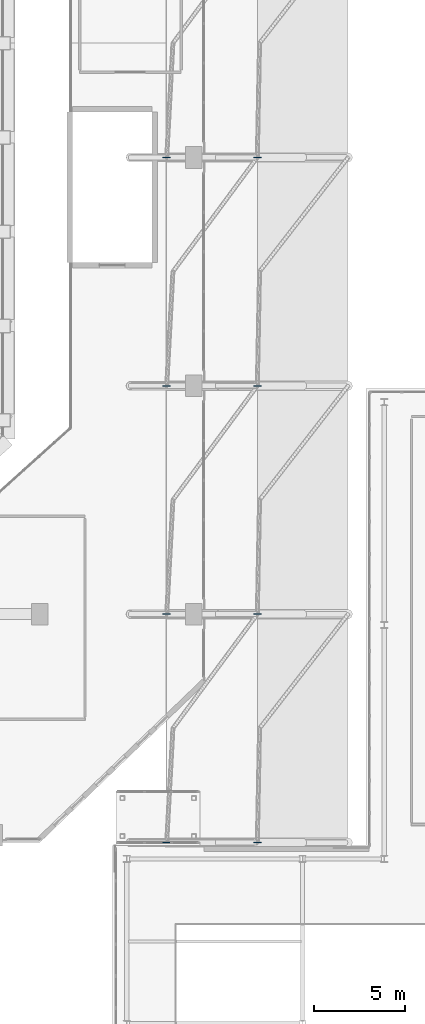
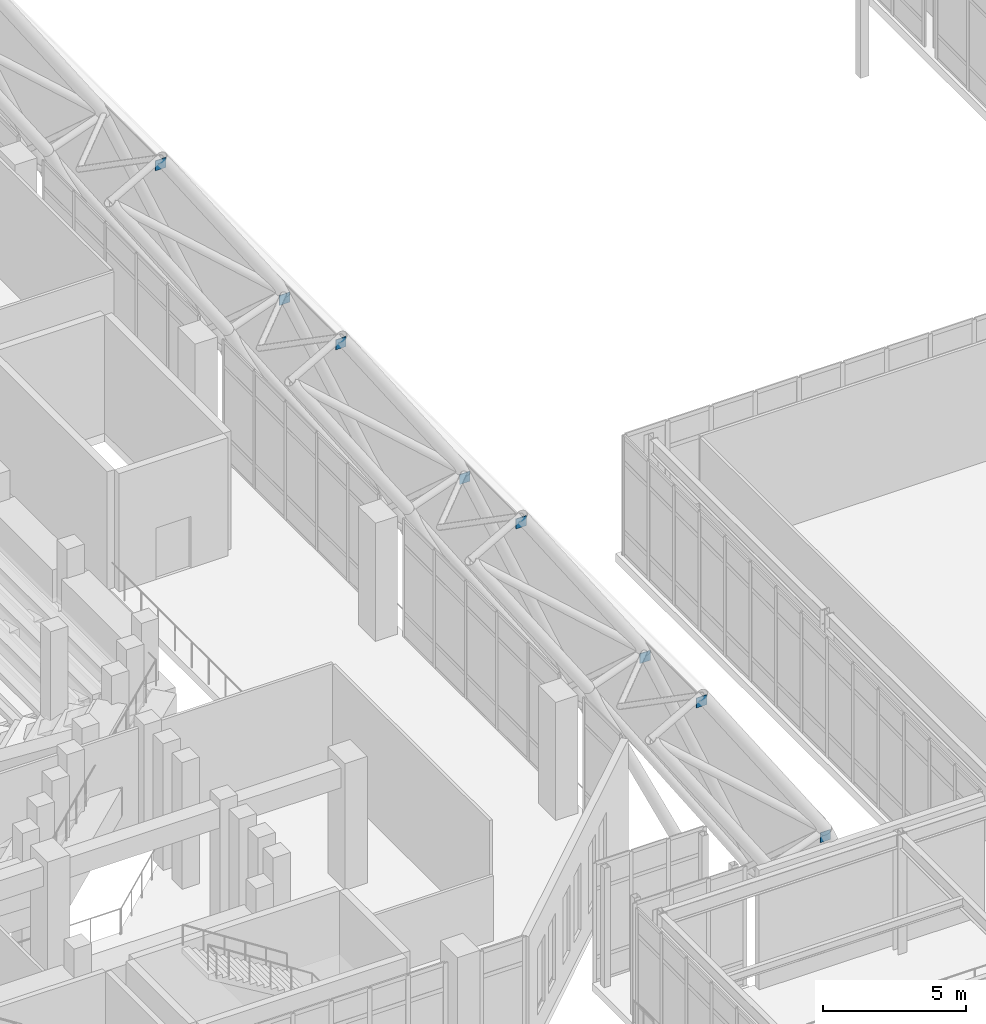
# One storey, part 119 of 159: 8 plates.
"""IFC4 building model written with IfcOpenShell, lengths in metres."""

import ifcopenshell
import ifcopenshell.guid

model = None  # the IFC model being written
_history = None  # IfcOwnerHistory: only IFC2X3 demands one
_inside = {}  # id of a spatial element -> (the spatial element, [elements in it])
_under = {}  # id of a project, library or spatial element -> (it, [spatial elements below it])
_declared = {}  # id of a project -> (the project, [libraries it declares])
_typed = {}  # id of a type object -> (the type object, [elements of that type])
_made_of = {}  # id of a material, layer set ... -> (it, [elements and type objects made of it])


def new_model(schema):
    """Start an empty IFC model of exactly this schema.

    Asked for "IFC4X3", IfcOpenShell would pick the latest addendum, in which some entities
    have other attributes; the version numbers below select the first issue.
    IFC2X3 requires an IfcOwnerHistory on every rooted entity: one is made here for all.
    """
    global model, _history
    if schema == "IFC4X3":
        model = ifcopenshell.file(schema_version=(4, 3, 0, 0))
    else:
        model = ifcopenshell.file(schema=schema)
    _inside.clear()
    _under.clear()
    _declared.clear()
    _typed.clear()
    _made_of.clear()
    _history = None
    if model.schema == "IFC2X3":
        org = make("IfcOrganization", Name="unknown")
        user = make(
            "IfcPersonAndOrganization",
            ThePerson=make("IfcPerson", FamilyName="unknown"),
            TheOrganization=org,
        )
        app = make(
            "IfcApplication",
            ApplicationDeveloper=org,
            Version="unknown",
            ApplicationFullName="unknown",
            ApplicationIdentifier="unknown",
        )
        _history = make(
            "IfcOwnerHistory",
            OwningUser=user,
            OwningApplication=app,
            ChangeAction="ADDED",
            CreationDate=0,
        )
    return model


def make(cls, **values):
    """One entity of the class cls with the attributes given. An attribute that is None is left unset."""
    return model.create_entity(
        cls, **{name: value for name, value in values.items() if value is not None}
    )


def rooted(cls, **values):
    """An entity with a GlobalId (a new one), such as an element, a storey or a relation."""
    return make(cls, GlobalId=ifcopenshell.guid.new(), OwnerHistory=_history, **values)


def si_unit(unit_type, name, prefix=None):
    """IfcSIUnit, for example si_unit("LENGTHUNIT", "METRE", prefix="MILLI")."""
    return make("IfcSIUnit", UnitType=unit_type, Prefix=prefix, Name=name)


def derived_unit(unit_type, elements):
    """IfcDerivedUnit: a product of units, each with its exponent."""
    return make(
        "IfcDerivedUnit",
        Elements=[
            make("IfcDerivedUnitElement", Unit=unit, Exponent=power)
            for unit, power in elements
        ],
        UnitType=unit_type,
    )


def assignment(units):
    """IfcUnitAssignment: the units of a project."""
    return None if units is None else make("IfcUnitAssignment", Units=units)


def point(xyz):
    """IfcCartesianPoint."""
    return None if xyz is None else make("IfcCartesianPoint", Coordinates=xyz)


def direction(xyz):
    """IfcDirection."""
    return None if xyz is None else make("IfcDirection", DirectionRatios=xyz)


def frame(location, z_axis=None, x_axis=None):
    """IfcAxis2Placement3D, a coordinate frame: its origin and axes. An axis left out is left unset."""
    return make(
        "IfcAxis2Placement3D",
        Location=point(location),
        Axis=direction(z_axis),
        RefDirection=direction(x_axis),
    )


def frame_2d(location, x_axis=None):
    """IfcAxis2Placement2D, a coordinate frame in the plane: its origin and x axis."""
    return make(
        "IfcAxis2Placement2D", Location=point(location), RefDirection=direction(x_axis)
    )


def origin():
    """The frame at (0, 0, 0) with its axes left unset."""
    return frame((0.0, 0.0, 0.0))


def origin_2d():
    """The frame at (0, 0) in the plane with its x axis left unset."""
    return frame_2d((0.0, 0.0))


def place(relative_to, where):
    """IfcLocalPlacement: puts the frame where relative to a parent placement (None: the world)."""
    return make(
        "IfcLocalPlacement", PlacementRelTo=relative_to, RelativePlacement=where
    )


def context(
    kind, dimensions, precision=None, world=None, true_north=None, identifier=None
):
    """IfcGeometricRepresentationContext, for example the 3D "Model" context."""
    return make(
        "IfcGeometricRepresentationContext",
        ContextIdentifier=identifier,
        ContextType=kind,
        CoordinateSpaceDimension=dimensions,
        Precision=precision,
        WorldCoordinateSystem=world,
        TrueNorth=true_north,
    )


def subcontext(parent, identifier, kind, view, scale=None):
    """IfcGeometricRepresentationSubContext, for example "Body" below "Model"."""
    return make(
        "IfcGeometricRepresentationSubContext",
        ContextIdentifier=identifier,
        ContextType=kind,
        ParentContext=parent,
        TargetScale=scale,
        TargetView=view,
    )


def project(units=None, contexts=None):
    """IfcProject with its units and contexts."""
    return rooted(
        "IfcProject",
        Name="project",
        RepresentationContexts=contexts,
        UnitsInContext=assignment(units),
    )


def spatial(cls, under=None, at=None, **own):
    """A site, building, storey or space (cls), placed at a placement, below another one or the project."""
    s = rooted(cls, ObjectPlacement=at, **own)
    if under is not None:
        _under.setdefault(under.id(), (under, []))[1].append(s)
    return s


def profile(cls, at=None, kind="AREA", **sizes):
    """A parametric profile (cls). Its sizes go by their IFC names, for example OverallWidth=200.0."""
    return make(cls, ProfileType=kind, Position=at, **sizes)


def rectangle(**sizes):
    """IfcRectangleProfileDef."""
    return profile("IfcRectangleProfileDef", **sizes)


def extrude(swept, where, along, depth):
    """IfcExtrudedAreaSolid: the profile swept, set in the frame where, extruded along a direction by depth."""
    return make(
        "IfcExtrudedAreaSolid",
        SweptArea=swept,
        Position=where,
        ExtrudedDirection=direction(along),
        Depth=depth,
    )


def shape(context_of_items, identifier, shape_type, items):
    """IfcShapeRepresentation: the items that make up one representation, for example the "Body"."""
    return make(
        "IfcShapeRepresentation",
        ContextOfItems=context_of_items,
        RepresentationIdentifier=identifier,
        RepresentationType=shape_type,
        Items=items,
    )


def material(Name=None, Category=None):
    """IfcMaterial."""
    return make("IfcMaterial", Name=Name, Category=Category)


def layer(
    of_material, thickness, ventilated=None, Name=None, Category=None, Priority=None
):
    """IfcMaterialLayer: one layer of a wall or slab, of a material (None: an air gap)."""
    return make(
        "IfcMaterialLayer",
        Material=of_material,
        LayerThickness=thickness,
        IsVentilated=ventilated,
        Name=Name,
        Category=Category,
        Priority=Priority,
    )


def layer_set(layers, Name=None):
    """IfcMaterialLayerSet."""
    return make("IfcMaterialLayerSet", MaterialLayers=layers, LayerSetName=Name)


def made_of(thing, what):
    """Note that an element or type object is made of a material, layer set ...; save() writes the relation."""
    if what is not None:
        _made_of.setdefault(what.id(), (what, []))[1].append(thing)
    return thing


def type_object(cls, material=None, **own):
    """A type object (cls), such as IfcWallType, which elements share."""
    return made_of(rooted(cls, **own), material)


def element(
    cls,
    number,
    at=None,
    inside=None,
    cuts=None,
    type_object=None,
    material=None,
    context=None,
    identifier="Body",
    shape_type=None,
    held_by="IfcProductDefinitionShape",
    body=None,
    shapes=None,
    **own,
):
    """One element of the class cls, such as IfcWall. Its Tag is "e" and its number.

    at: its placement. inside: the storey or other place that contains it. cuts: it is an
    opening in that element (IfcRelVoidsElement). A single representation is given by context,
    identifier, shape_type and body (its items); several are given by shapes. held_by: the class
    of the entity that holds the representations. save() writes the other relations.
    """
    e = rooted(cls, Tag="e%d" % number, ObjectPlacement=at, **own)
    if body is not None:
        shapes = [shape(context, identifier, shape_type, body)]
    if shapes is not None:
        e.Representation = make(held_by, Representations=shapes)
    if inside is not None:
        _inside.setdefault(inside.id(), (inside, []))[1].append(e)
    if cuts is not None:
        rooted(
            "IfcRelVoidsElement", RelatingBuildingElement=cuts, RelatedOpeningElement=e
        )
    if type_object is not None:
        _typed.setdefault(type_object.id(), (type_object, []))[1].append(e)
    return made_of(e, material)


def aggregate(whole, parts):
    """IfcRelAggregates: a whole, such as a stair, and the parts it consists of."""
    return rooted("IfcRelAggregates", RelatingObject=whole, RelatedObjects=parts)


def save(model, path):
    """Write the relations noted so far, then the file.

    IfcRelAggregates (storeys below a building ...), IfcRelContainedInSpatialStructure (elements
    in a storey), IfcRelDefinesByType, IfcRelAssociatesMaterial and IfcRelDeclares: one each for
    every whole, place, type object, material and project.
    """
    for whole, parts in _under.values():
        aggregate(whole, parts)
    for where, things in _inside.values():
        rooted(
            "IfcRelContainedInSpatialStructure",
            RelatedElements=things,
            RelatingStructure=where,
        )
    for kind, things in _typed.values():
        rooted("IfcRelDefinesByType", RelatedObjects=things, RelatingType=kind)
    for what, things in _made_of.values():
        rooted("IfcRelAssociatesMaterial", RelatedObjects=things, RelatingMaterial=what)
    for by, libraries in _declared.values():
        rooted("IfcRelDeclares", RelatingContext=by, RelatedDefinitions=libraries)
    model.write(path)


model = new_model("IFC4")

# Units and contexts
model_context = context("Model", 3, precision=1e-05, world=origin(), true_north=direction((0.0, 1.0)))
body_context = subcontext(model_context, "Body", "Model", "MODEL_VIEW")
ifc_project = project(units=[si_unit("LENGTHUNIT", "METRE"), si_unit("AREAUNIT", "SQUARE_METRE"), si_unit("VOLUMEUNIT", "CUBIC_METRE"), si_unit("PLANEANGLEUNIT", "RADIAN"), si_unit("MASSUNIT", "GRAM", prefix="KILO"), derived_unit("THERMALTRANSMITTANCEUNIT", [(si_unit("MASSUNIT", "GRAM", prefix="KILO"), 1), (si_unit("TIMEUNIT", "SECOND"), -3), (si_unit("THERMODYNAMICTEMPERATUREUNIT", "KELVIN"), -1)])], contexts=[model_context])

# Site, building, storey
site_placement = place(None, origin())
site = spatial("IfcSite", under=ifc_project, at=site_placement, CompositionType="ELEMENT")
building_placement = place(site_placement, origin())
building = spatial("IfcBuilding", under=site, at=building_placement, Name="Valcora Ridge Arena", CompositionType="ELEMENT")
storey_placement = place(building_placement, frame((0.0, 0.0, 6.0)))
storey = spatial("IfcBuildingStorey", under=building, at=storey_placement, Name="L01", CompositionType="ELEMENT", Elevation=6.0)

# Plates
ifc_material = material(Name="Steel ASTM A572 Grade 50", Category="steel")
ifc_layer = layer(ifc_material, 0.031982421875, Name="Steel ASTM A572 Grade 50")
ifc_layer_set = layer_set([ifc_layer], Name="Steel ASTM A572 Grade 50")
plate_type = type_object("IfcPlateType", Name="TY-PLATE-PL-NODE-32", PredefinedType="USERDEFINED", material=ifc_layer_set)
for number, where, z_axis, x_axis, name in (
    (1, (101.0, 20.0, 12.523681640625), (0.0, 0.0, 1.0), (1.0, 0.0, 0.0), "PL-NODE-32 SF-GP-0013"),
    (2, (106.0, 20.0, 5.0263671875), (0.0, 0.0, 1.0), (1.0, 0.0, 0.0), "PL-NODE-32 SF-GP-0014"),
    (3, (101.0, 32.60009765625, 12.523681640625), (0.0, 0.0, 1.0), (1.0, 0.0, 0.0), "PL-NODE-32 SF-GP-0027"),
    (4, (106.0, 32.60009765625, 5.0263671875), (0.0, 0.0, 1.0), (1.0, 0.0, 0.0), "PL-NODE-32 SF-GP-0028"),
    (5, (101.0, 45.199951171875, 12.523681640625), (0.0, 0.0, 1.0), (1.0, 0.0, 0.0), "PL-NODE-32 SF-GP-0041"),
    (6, (106.0, 45.199951171875, 5.0263671875), (0.0, 0.0, 1.0), (1.0, 0.0, 0.0), "PL-NODE-32 SF-GP-0042"),
    (7, (101.0, 57.800048828125, 12.523681640625), (0.0, 0.0, 1.0), (1.0, 0.0, 0.0), "PL-NODE-32 SF-GP-0055"),
    (8, (106.0, 57.800048828125, 5.0263671875), (0.0, 0.0, 1.0), (1.0, 0.0, 0.0), "PL-NODE-32 SF-GP-0056"),
):
    element("IfcPlate", number, at=place(storey_placement, frame(where, z_axis=z_axis, x_axis=x_axis)), inside=storey, type_object=plate_type, Name=name, ObjectType="GUSSET_PLATE", PredefinedType="USERDEFINED", context=body_context, shape_type="SweptSolid", body=[
        extrude(rectangle(XDim=0.419921875, YDim=0.031982421875, at=origin_2d()), origin(), (0.0, 0.0, 1.0), 0.419921875),
    ])

save(model, "model.ifc")
